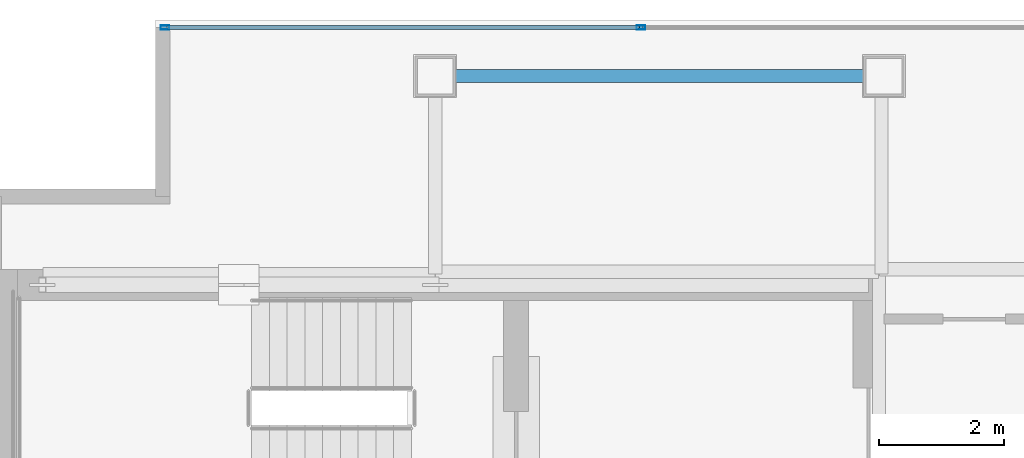
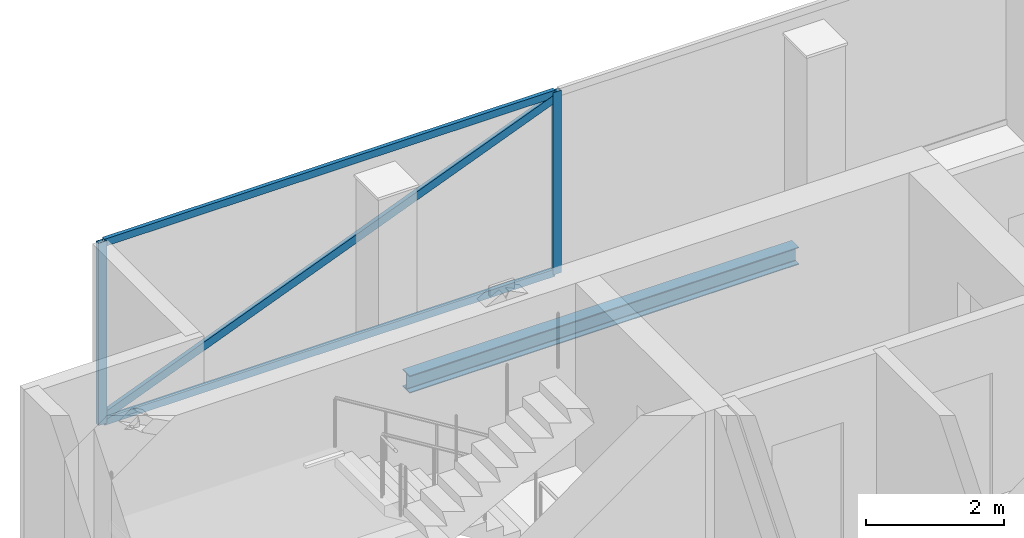
# One storey, part 17 of 24: 5 members, 1 beam, 1 element without a shape of its own.
"""IFC4 building model written with IfcOpenShell, lengths in metres."""

import ifcopenshell
import ifcopenshell.guid

model = None  # the IFC model being written
_history = None  # IfcOwnerHistory: only IFC2X3 demands one
_inside = {}  # id of a spatial element -> (the spatial element, [elements in it])
_under = {}  # id of a project, library or spatial element -> (it, [spatial elements below it])
_declared = {}  # id of a project -> (the project, [libraries it declares])
_typed = {}  # id of a type object -> (the type object, [elements of that type])
_made_of = {}  # id of a material, layer set ... -> (it, [elements and type objects made of it])


def new_model(schema):
    """Start an empty IFC model of exactly this schema.

    Asked for "IFC4X3", IfcOpenShell would pick the latest addendum, in which some entities
    have other attributes; the version numbers below select the first issue.
    IFC2X3 requires an IfcOwnerHistory on every rooted entity: one is made here for all.
    """
    global model, _history
    if schema == "IFC4X3":
        model = ifcopenshell.file(schema_version=(4, 3, 0, 0))
    else:
        model = ifcopenshell.file(schema=schema)
    _inside.clear()
    _under.clear()
    _declared.clear()
    _typed.clear()
    _made_of.clear()
    _history = None
    if model.schema == "IFC2X3":
        org = make("IfcOrganization", Name="unknown")
        user = make(
            "IfcPersonAndOrganization",
            ThePerson=make("IfcPerson", FamilyName="unknown"),
            TheOrganization=org,
        )
        app = make(
            "IfcApplication",
            ApplicationDeveloper=org,
            Version="unknown",
            ApplicationFullName="unknown",
            ApplicationIdentifier="unknown",
        )
        _history = make(
            "IfcOwnerHistory",
            OwningUser=user,
            OwningApplication=app,
            ChangeAction="ADDED",
            CreationDate=0,
        )
    return model


def make(cls, **values):
    """One entity of the class cls with the attributes given. An attribute that is None is left unset."""
    return model.create_entity(
        cls, **{name: value for name, value in values.items() if value is not None}
    )


def rooted(cls, **values):
    """An entity with a GlobalId (a new one), such as an element, a storey or a relation."""
    return make(cls, GlobalId=ifcopenshell.guid.new(), OwnerHistory=_history, **values)


def si_unit(unit_type, name, prefix=None):
    """IfcSIUnit, for example si_unit("LENGTHUNIT", "METRE", prefix="MILLI")."""
    return make("IfcSIUnit", UnitType=unit_type, Prefix=prefix, Name=name)


def assignment(units):
    """IfcUnitAssignment: the units of a project."""
    return None if units is None else make("IfcUnitAssignment", Units=units)


def point(xyz):
    """IfcCartesianPoint."""
    return None if xyz is None else make("IfcCartesianPoint", Coordinates=xyz)


def direction(xyz):
    """IfcDirection."""
    return None if xyz is None else make("IfcDirection", DirectionRatios=xyz)


def frame(location, z_axis=None, x_axis=None):
    """IfcAxis2Placement3D, a coordinate frame: its origin and axes. An axis left out is left unset."""
    return make(
        "IfcAxis2Placement3D",
        Location=point(location),
        Axis=direction(z_axis),
        RefDirection=direction(x_axis),
    )


def frame_2d(location, x_axis=None):
    """IfcAxis2Placement2D, a coordinate frame in the plane: its origin and x axis."""
    return make(
        "IfcAxis2Placement2D", Location=point(location), RefDirection=direction(x_axis)
    )


def origin():
    """The frame at (0, 0, 0) with its axes left unset."""
    return frame((0.0, 0.0, 0.0))


def origin_2d():
    """The frame at (0, 0) in the plane with its x axis left unset."""
    return frame_2d((0.0, 0.0))


def place(relative_to, where):
    """IfcLocalPlacement: puts the frame where relative to a parent placement (None: the world)."""
    return make(
        "IfcLocalPlacement", PlacementRelTo=relative_to, RelativePlacement=where
    )


def context(
    kind, dimensions, precision=None, world=None, true_north=None, identifier=None
):
    """IfcGeometricRepresentationContext, for example the 3D "Model" context."""
    return make(
        "IfcGeometricRepresentationContext",
        ContextIdentifier=identifier,
        ContextType=kind,
        CoordinateSpaceDimension=dimensions,
        Precision=precision,
        WorldCoordinateSystem=world,
        TrueNorth=true_north,
    )


def subcontext(parent, identifier, kind, view, scale=None):
    """IfcGeometricRepresentationSubContext, for example "Body" below "Model"."""
    return make(
        "IfcGeometricRepresentationSubContext",
        ContextIdentifier=identifier,
        ContextType=kind,
        ParentContext=parent,
        TargetScale=scale,
        TargetView=view,
    )


def project(units=None, contexts=None):
    """IfcProject with its units and contexts."""
    return rooted(
        "IfcProject",
        Name="project",
        RepresentationContexts=contexts,
        UnitsInContext=assignment(units),
    )


def spatial(cls, under=None, at=None, **own):
    """A site, building, storey or space (cls), placed at a placement, below another one or the project."""
    s = rooted(cls, ObjectPlacement=at, **own)
    if under is not None:
        _under.setdefault(under.id(), (under, []))[1].append(s)
    return s


def profile(cls, at=None, kind="AREA", **sizes):
    """A parametric profile (cls). Its sizes go by their IFC names, for example OverallWidth=200.0."""
    return make(cls, ProfileType=kind, Position=at, **sizes)


def hollow_rectangle(**sizes):
    """IfcRectangleHollowProfileDef."""
    return profile("IfcRectangleHollowProfileDef", **sizes)


def i_section(**sizes):
    """IfcIShapeProfileDef."""
    return profile("IfcIShapeProfileDef", **sizes)


def extrude(swept, where, along, depth):
    """IfcExtrudedAreaSolid: the profile swept, set in the frame where, extruded along a direction by depth."""
    return make(
        "IfcExtrudedAreaSolid",
        SweptArea=swept,
        Position=where,
        ExtrudedDirection=direction(along),
        Depth=depth,
    )


def shape(context_of_items, identifier, shape_type, items):
    """IfcShapeRepresentation: the items that make up one representation, for example the "Body"."""
    return make(
        "IfcShapeRepresentation",
        ContextOfItems=context_of_items,
        RepresentationIdentifier=identifier,
        RepresentationType=shape_type,
        Items=items,
    )


def material(Name=None, Category=None):
    """IfcMaterial."""
    return make("IfcMaterial", Name=Name, Category=Category)


def material_profile(
    of_material, cross_section, Name=None, Category=None, Priority=None
):
    """IfcMaterialProfile: a cross section and its material."""
    return make(
        "IfcMaterialProfile",
        Name=Name,
        Material=of_material,
        Profile=cross_section,
        Priority=Priority,
        Category=Category,
    )


def profile_set(profiles, Name=None, composite=None):
    """IfcMaterialProfileSet."""
    return make(
        "IfcMaterialProfileSet",
        Name=Name,
        MaterialProfiles=profiles,
        CompositeProfile=composite,
    )


def made_of(thing, what):
    """Note that an element or type object is made of a material, layer set ...; save() writes the relation."""
    if what is not None:
        _made_of.setdefault(what.id(), (what, []))[1].append(thing)
    return thing


def type_object(cls, material=None, **own):
    """A type object (cls), such as IfcWallType, which elements share."""
    return made_of(rooted(cls, **own), material)


def element(
    cls,
    number,
    at=None,
    inside=None,
    cuts=None,
    type_object=None,
    material=None,
    context=None,
    identifier="Body",
    shape_type=None,
    held_by="IfcProductDefinitionShape",
    body=None,
    shapes=None,
    **own,
):
    """One element of the class cls, such as IfcWall. Its Tag is "e" and its number.

    at: its placement. inside: the storey or other place that contains it. cuts: it is an
    opening in that element (IfcRelVoidsElement). A single representation is given by context,
    identifier, shape_type and body (its items); several are given by shapes. held_by: the class
    of the entity that holds the representations. save() writes the other relations.
    """
    e = rooted(cls, Tag="e%d" % number, ObjectPlacement=at, **own)
    if body is not None:
        shapes = [shape(context, identifier, shape_type, body)]
    if shapes is not None:
        e.Representation = make(held_by, Representations=shapes)
    if inside is not None:
        _inside.setdefault(inside.id(), (inside, []))[1].append(e)
    if cuts is not None:
        rooted(
            "IfcRelVoidsElement", RelatingBuildingElement=cuts, RelatedOpeningElement=e
        )
    if type_object is not None:
        _typed.setdefault(type_object.id(), (type_object, []))[1].append(e)
    return made_of(e, material)


def aggregate(whole, parts):
    """IfcRelAggregates: a whole, such as a stair, and the parts it consists of."""
    return rooted("IfcRelAggregates", RelatingObject=whole, RelatedObjects=parts)


def save(model, path):
    """Write the relations noted so far, then the file.

    IfcRelAggregates (storeys below a building ...), IfcRelContainedInSpatialStructure (elements
    in a storey), IfcRelDefinesByType, IfcRelAssociatesMaterial and IfcRelDeclares: one each for
    every whole, place, type object, material and project.
    """
    for whole, parts in _under.values():
        aggregate(whole, parts)
    for where, things in _inside.values():
        rooted(
            "IfcRelContainedInSpatialStructure",
            RelatedElements=things,
            RelatingStructure=where,
        )
    for kind, things in _typed.values():
        rooted("IfcRelDefinesByType", RelatedObjects=things, RelatingType=kind)
    for what, things in _made_of.values():
        rooted("IfcRelAssociatesMaterial", RelatedObjects=things, RelatingMaterial=what)
    for by, libraries in _declared.values():
        rooted("IfcRelDeclares", RelatingContext=by, RelatedDefinitions=libraries)
    model.write(path)


model = new_model("IFC4")

# Units and contexts
model_context = context("Model", 3, precision=1e-05, world=origin(), true_north=direction((0.0, 1.0)))
body_context = subcontext(model_context, "Body", "Model", "MODEL_VIEW")
ifc_project = project(units=[si_unit("LENGTHUNIT", "METRE"), si_unit("AREAUNIT", "SQUARE_METRE"), si_unit("VOLUMEUNIT", "CUBIC_METRE"), si_unit("PLANEANGLEUNIT", "RADIAN"), si_unit("MASSUNIT", "GRAM", prefix="KILO")], contexts=[model_context])

# Site, building, storey
site_placement = place(None, origin())
site = spatial("IfcSite", under=ifc_project, at=site_placement, CompositionType="ELEMENT")
building_placement = place(site_placement, origin())
building = spatial("IfcBuilding", under=site, at=building_placement, Name="Cobrela Telecom Tower", CompositionType="ELEMENT")
storey_placement = place(building_placement, frame((0.0, 0.0, 290.14990234375)))
storey = spatial("IfcBuildingStorey", under=building, at=storey_placement, Name="L76", CompositionType="ELEMENT", Elevation=290.14990234375)

# Beam
ifc_material_1 = material(Name="Steel ASTM A992 Grade 50", Category="steel")
ifc_material_profile_1 = material_profile(ifc_material_1, i_section(OverallWidth=0.205078125, OverallDepth=0.31005859375, WebThickness=0.009521484375, FlangeThickness=0.016357421875, FilletRadius=0.010986328125, at=origin_2d()), Name="W12X50")
ifc_profile_set_1 = profile_set([ifc_material_profile_1], Name="Steel ASTM A992 Grade 50")
beam_type = type_object("IfcBeamType", Name="BM-SPAND-07", PredefinedType="SPANDREL", material=ifc_profile_set_1)
beam_placement = place(storey_placement, frame((7.530029296875, 39.10009765625, -0.414794921875), z_axis=(1.0, 0.0, 0.0), x_axis=(0.0, 1.0, 0.0)))
element("IfcBeam", 1, at=beam_placement, inside=storey, type_object=beam_type, Name="L76 Perimeter Spandrel X19", PredefinedType="SPANDREL", context=body_context, shape_type="SweptSolid", body=[
    extrude(i_section(OverallWidth=0.205078125, OverallDepth=0.31005859375, WebThickness=0.009521484375, FlangeThickness=0.016357421875, FilletRadius=0.010986328125, at=origin_2d()), origin(), (0.0, 0.0, 1.0), 6.5400390625),
])

# Curtain wall, members
ifc_material_2 = material(Name="Anodized Bronze Aluminium 6063-T6", Category="aluminium")
curtain_wall_type = type_object("IfcCurtainWallType", Name="CW-SYS-OFF-HI", PredefinedType="USERDEFINED", material=ifc_material_2)
curtain_wall_placement = place(storey_placement, origin())
curtain_wall = element("IfcCurtainWall", 2, at=curtain_wall_placement, inside=storey, type_object=curtain_wall_type, Name="L76 Unitised Bronze Curtain Wall 05", ObjectType="UNITISED CURTAIN WALL", PredefinedType="USERDEFINED")
ifc_material_profile_2 = material_profile(ifc_material_2, hollow_rectangle(XDim=0.070068359375, YDim=0.139892578125, WallThickness=0.00390625, at=origin_2d()), Name="ALU 70x140x4")
ifc_profile_set_2 = profile_set([ifc_material_profile_2], Name="Anodized Bronze Aluminium 6063-T6")
member_type_1 = type_object("IfcMemberType", Name="CW-SYS-OFF-HI-MUL", PredefinedType="MULLION", material=ifc_profile_set_2)
member_1_placement = place(storey_placement, frame((2.864990234375, 39.8798828125, 0.0), z_axis=(0.0, 0.0, 1.0), x_axis=(0.0, 1.0, 0.0)))
member_1 = element("IfcMember", 3, at=member_1_placement, type_object=member_type_1, Name="CW-OFF-HI mullion 1", PredefinedType="MULLION", context=body_context, shape_type="SweptSolid", body=[
    extrude(hollow_rectangle(XDim=0.070068359375, YDim=0.139892578125, WallThickness=0.00390625, at=origin_2d()), origin(), (0.0, 0.0, 1.0), 3.239990234375),
])
member_2_placement = place(storey_placement, frame((10.5, 39.8798828125, 0.0), z_axis=(0.0, 0.0, 1.0), x_axis=(0.0, 1.0, 0.0)))
member_2 = element("IfcMember", 4, at=member_2_placement, type_object=member_type_1, Name="CW-OFF-HI mullion 2", PredefinedType="MULLION", context=body_context, shape_type="SweptSolid", body=[
    extrude(hollow_rectangle(XDim=0.070068359375, YDim=0.139892578125, WallThickness=0.00390625, at=origin_2d()), origin(), (0.0, 0.0, 1.0), 3.239990234375),
])
member_3_placement = place(storey_placement, frame((2.830078125, 39.8798828125, 0.10009765625), z_axis=(0.929639429271, 0.0, 0.368470530089), x_axis=(0.0, 1.0, 0.0)))
member_3 = element("IfcMember", 5, at=member_3_placement, type_object=member_type_1, Name="L76 Faceted Curtain Wall Diagonal Glazing Mullion", PredefinedType="MULLION", context=body_context, shape_type="SweptSolid", body=[
    extrude(hollow_rectangle(XDim=0.070068359375, YDim=0.139892578125, WallThickness=0.00390625, at=origin_2d()), origin(), (0.0, 0.0, 1.0), 8.25048828125),
])
ifc_material_profile_3 = material_profile(ifc_material_2, hollow_rectangle(XDim=0.06494140625, YDim=0.1298828125, WallThickness=0.00390625, at=origin_2d()), Name="ALU 65x130x4")
ifc_profile_set_3 = profile_set([ifc_material_profile_3], Name="Anodized Bronze Aluminium 6063-T6")
member_type_2 = type_object("IfcMemberType", Name="CW-SYS-OFF-HI-TRN", PredefinedType="USERDEFINED", material=ifc_profile_set_3)
member_4_placement = place(storey_placement, frame((2.89990234375, 39.8798828125, 0.03271484375), z_axis=(1.0, 0.0, 0.0), x_axis=(0.0, 1.0, 0.0)))
member_4 = element("IfcMember", 6, at=member_4_placement, type_object=member_type_2, Name="CW-OFF-HI transom 1.1", ObjectType="TRANSOM", PredefinedType="USERDEFINED", context=body_context, shape_type="SweptSolid", body=[
    extrude(hollow_rectangle(XDim=0.06494140625, YDim=0.1298828125, WallThickness=0.00390625, at=origin_2d()), origin(), (0.0, 0.0, 1.0), 7.565185546875),
])
member_5_placement = place(storey_placement, frame((2.89990234375, 39.8798828125, 3.20751953125), z_axis=(1.0, 0.0, 0.0), x_axis=(0.0, 1.0, 0.0)))
member_5 = element("IfcMember", 7, at=member_5_placement, type_object=member_type_2, Name="CW-OFF-HI transom 1.2", ObjectType="TRANSOM", PredefinedType="USERDEFINED", context=body_context, shape_type="SweptSolid", body=[
    extrude(hollow_rectangle(XDim=0.06494140625, YDim=0.1298828125, WallThickness=0.00390625, at=origin_2d()), origin(), (0.0, 0.0, 1.0), 7.565185546875),
])
aggregate(curtain_wall, [member_1, member_2, member_4, member_5, member_3])

save(model, "model.ifc")
